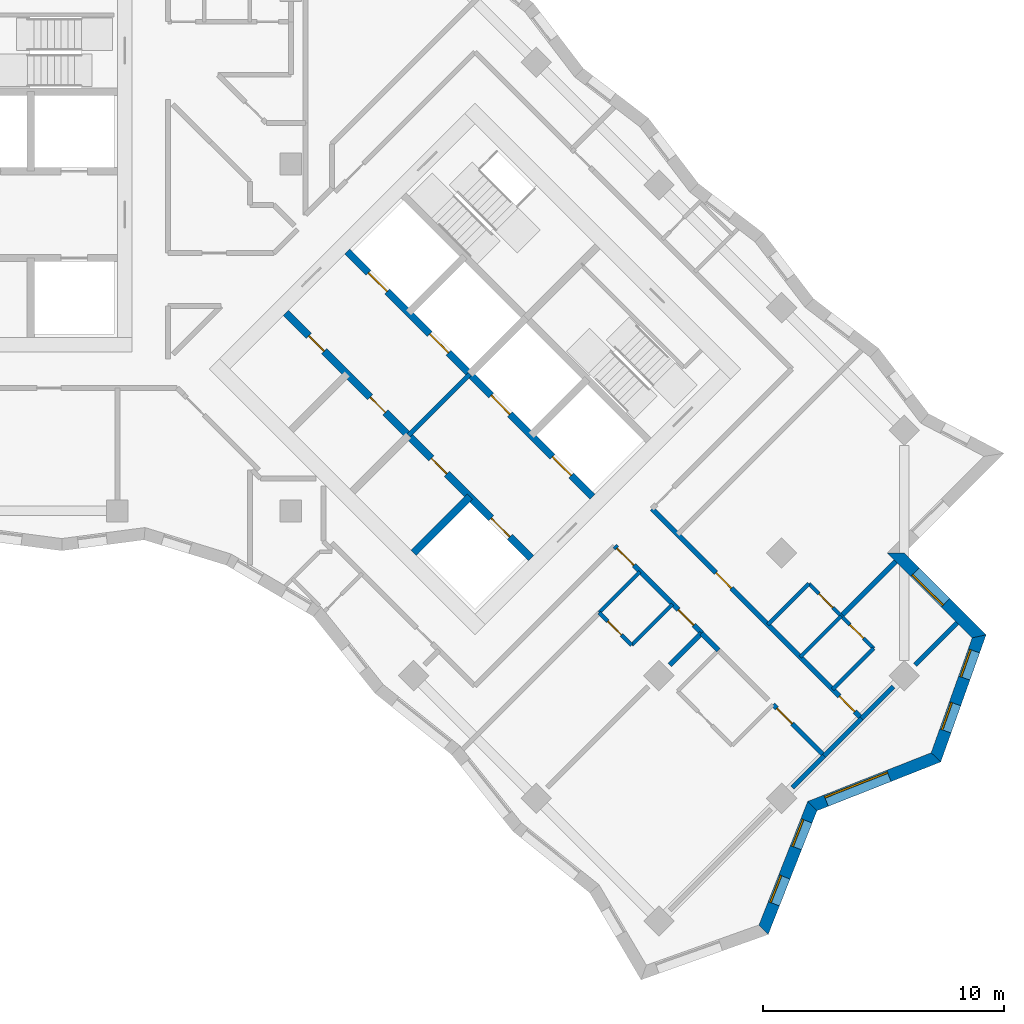
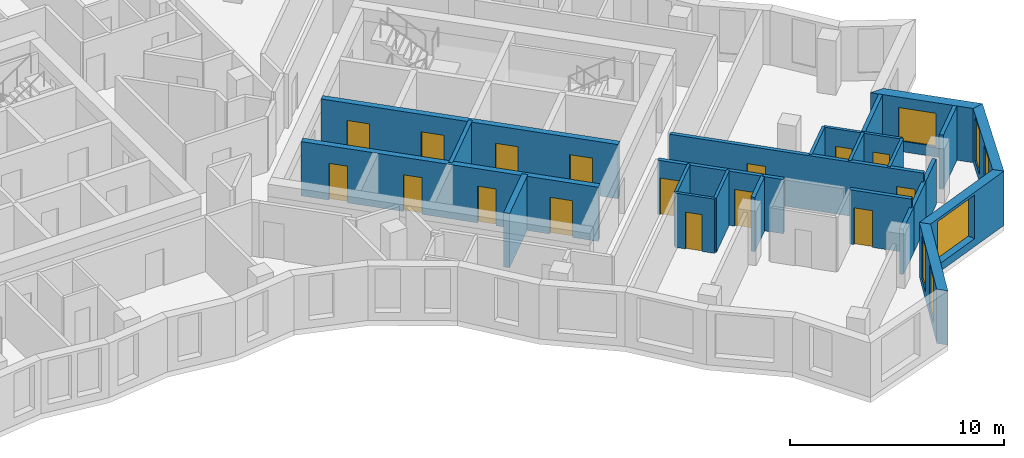
# One storey, part 8 of 12: 25 walls, 16 doors, 6 windows, 22 openings.
"""IFC4 building model written with IfcOpenShell, lengths in metres."""

from ifc_helpers import new_model, si_unit, direction, frame, frame_2d, origin, place, context, subcontext, project, spatial, polyline, rectangle, outline, extrude, material, layer, layer_set, type_object, element, fill, save


model = new_model("IFC4")

# Units and contexts
model_context = context("Model", 3, precision=1e-05, world=origin(), true_north=direction((0.0, 1.0)))
body_context = subcontext(model_context, "Body", "Model", "MODEL_VIEW")
ifc_project = project(units=[si_unit("LENGTHUNIT", "METRE"), si_unit("AREAUNIT", "SQUARE_METRE"), si_unit("VOLUMEUNIT", "CUBIC_METRE"), si_unit("PLANEANGLEUNIT", "RADIAN"), si_unit("MASSUNIT", "GRAM", prefix="KILO")], contexts=[model_context])

# Site, building, storey
site_placement = place(None, origin())
site = spatial("IfcSite", under=ifc_project, at=site_placement, CompositionType="ELEMENT")
building_placement = place(site_placement, origin())
building = spatial("IfcBuilding", under=site, at=building_placement, Name="Windrow Commons", CompositionType="ELEMENT")
storey_placement = place(building_placement, frame((0.0, 0.0, 152.4)))
storey = spatial("IfcBuildingStorey", under=building, at=storey_placement, Name="L41", CompositionType="ELEMENT", Elevation=152.4)

# Wall, openings, windows
ifc_material_1 = material(Name="Brick masonry, red clay brick", Category="masonry")
ifc_layer_1 = layer(ifc_material_1, 0.5)
ifc_layer_set_1 = layer_set([ifc_layer_1], Name="Brick facade wall 500")
wall_type_1 = type_object("IfcWallType", Name="Brick facade wall 500", PredefinedType="SOLIDWALL", material=ifc_layer_set_1)
wall_1_placement = place(storey_placement, frame((98.8164, 25.8194, 0.0), z_axis=(0.0, 0.0, 1.0), x_axis=(0.3666966918, 0.9303405485, 0.0)))
wall_1 = element("IfcWall", 1, at=wall_1_placement, inside=storey, type_object=wall_type_1, Name="Brick facade wall L41 2", PredefinedType="SOLIDWALL", context=body_context, shape_type="SweptSolid", body=[
    extrude(outline(polyline([(-0.1135, -0.25), (5.4066, -0.25), (5.6238, 0.25), (0.1135, 0.25), (-0.1135, -0.25)])), origin(), (0.0, 0.0, 1.0), 3.1),
])
opening_1_placement = place(wall_1_placement, frame((1.1587, 0.0, 0.45)))
opening_1 = element("IfcOpeningElement", 2, at=opening_1_placement, cuts=wall_1, Name="Opening W7E", PredefinedType="OPENING", context=body_context, shape_type="SweptSolid", body=[
    extrude(rectangle(XDim=1.2, YDim=2.5, at=frame_2d((0.6, 1.25))), frame((0.0, 0.26, 0.0), z_axis=(0.0, -1.0, 0.0), x_axis=(1.0, 0.0, 0.0)), (0.0, 0.0, 1.0), 0.52),
])
opening_2_placement = place(wall_1_placement, frame((3.6595, 0.0, 0.45)))
opening_2 = element("IfcOpeningElement", 3, at=opening_2_placement, cuts=wall_1, Name="Opening W7E", PredefinedType="OPENING", context=body_context, shape_type="SweptSolid", body=[
    extrude(rectangle(XDim=1.2, YDim=2.5, at=frame_2d((0.6, 1.25))), frame((0.0, 0.26, 0.0), z_axis=(0.0, -1.0, 0.0), x_axis=(1.0, 0.0, 0.0)), (0.0, 0.0, 1.0), 0.52),
])
ifc_material_2 = material(Name="Clear float glass in anodised aluminium frame", Category="aluminium")
window_type_1 = type_object("IfcWindowType", Name="Window W7 notch 1200x2500", PartitioningType="SINGLE_PANEL", PredefinedType="WINDOW", material=ifc_material_2)
window_1_placement = place(opening_1_placement, origin())
window_1 = element("IfcWindow", 4, at=window_1_placement, inside=storey, type_object=window_type_1, Name="Window L41 2.1", OverallHeight=2.5, OverallWidth=1.2, PartitioningType="SINGLE_PANEL", PredefinedType="WINDOW", context=body_context, shape_type="SweptSolid", body=[
    extrude(rectangle(XDim=1.2, YDim=2.5, at=frame_2d((0.6, 1.25))), frame((0.0, 0.18, 0.0), z_axis=(0.0, -1.0, 0.0), x_axis=(1.0, 0.0, 0.0)), (0.0, 0.0, 1.0), 0.06),
])
fill(opening_1, window_1)
window_2_placement = place(opening_2_placement, origin())
window_2 = element("IfcWindow", 5, at=window_2_placement, inside=storey, type_object=window_type_1, Name="Window L41 2.2", OverallHeight=2.5, OverallWidth=1.2, PartitioningType="SINGLE_PANEL", PredefinedType="WINDOW", context=body_context, shape_type="SweptSolid", body=[
    extrude(rectangle(XDim=1.2, YDim=2.5, at=frame_2d((0.6, 1.25))), frame((0.0, 0.18, 0.0), z_axis=(0.0, -1.0, 0.0), x_axis=(1.0, 0.0, 0.0)), (0.0, 0.0, 1.0), 0.06),
])
fill(opening_2, window_2)

# Wall, opening, window
wall_2_placement = place(storey_placement, frame((100.8388, 30.9504, 0.0), z_axis=(0.0, 0.0, 1.0), x_axis=(0.9303343627, 0.3667123852, 0.0)))
wall_2 = element("IfcWall", 6, at=wall_2_placement, inside=storey, type_object=wall_type_1, Name="Brick facade wall L41 3", PredefinedType="SOLIDWALL", context=body_context, shape_type="SweptSolid", body=[
    extrude(outline(polyline([(0.1086, -0.25), (5.6287, -0.25), (5.4017, 0.25), (-0.1086, 0.25), (0.1086, -0.25)])), origin(), (0.0, 0.0, 1.0), 3.1),
])
opening_3_placement = place(wall_2_placement, frame((0.6139, 0.0, 0.45)))
opening_3 = element("IfcOpeningElement", 7, at=opening_3_placement, cuts=wall_2, Name="Opening W1U", PredefinedType="OPENING", context=body_context, shape_type="SweptSolid", body=[
    extrude(rectangle(XDim=2.8, YDim=2.5, at=frame_2d((1.4, 1.25))), frame((0.0, 0.26, 0.0), z_axis=(0.0, -1.0, 0.0), x_axis=(1.0, 0.0, 0.0)), (0.0, 0.0, 1.0), 0.52),
])
ifc_material_3 = material(Name="Clear float glass in anodised aluminium frame", Category="aluminium")
window_type_2 = type_object("IfcWindowType", Name="Window W1U bedroom 2800x2500", PartitioningType="SINGLE_PANEL", PredefinedType="WINDOW", material=ifc_material_3)
window_3_placement = place(opening_3_placement, origin())
window_3 = element("IfcWindow", 8, at=window_3_placement, inside=storey, type_object=window_type_2, Name="Window L41 3.1", OverallHeight=2.5, OverallWidth=2.8, PartitioningType="SINGLE_PANEL", PredefinedType="WINDOW", context=body_context, shape_type="SweptSolid", body=[
    extrude(rectangle(XDim=2.8, YDim=2.5, at=frame_2d((1.4, 1.25))), frame((0.0, 0.18, 0.0), z_axis=(0.0, -1.0, 0.0), x_axis=(1.0, 0.0, 0.0)), (0.0, 0.0, 1.0), 0.06),
])
fill(opening_3, window_3)

# Wall, openings, windows
wall_3_placement = place(storey_placement, frame((105.9698, 32.9729, 0.0), z_axis=(0.0, 0.0, 1.0), x_axis=(0.3360618931, 0.9418399036, 0.0)))
wall_3 = element("IfcWall", 9, at=wall_3_placement, inside=storey, type_object=wall_type_1, Name="Brick facade wall L41 4", PredefinedType="SOLIDWALL", context=body_context, shape_type="SweptSolid", body=[
    extrude(outline(polyline([(-0.1135, -0.25), (5.4893, -0.25), (5.173, 0.25), (0.1135, 0.25), (-0.1135, -0.25)])), origin(), (0.0, 0.0, 1.0), 3.1),
])
opening_4_placement = place(wall_3_placement, frame((1.1638, 0.0, 0.45)))
opening_4 = element("IfcOpeningElement", 10, at=opening_4_placement, cuts=wall_3, Name="Opening W7E", PredefinedType="OPENING", context=body_context, shape_type="SweptSolid", body=[
    extrude(rectangle(XDim=1.2, YDim=2.5, at=frame_2d((0.6, 1.25))), frame((0.0, 0.26, 0.0), z_axis=(0.0, -1.0, 0.0), x_axis=(1.0, 0.0, 0.0)), (0.0, 0.0, 1.0), 0.52),
])
opening_5_placement = place(wall_3_placement, frame((3.4935, 0.0, 0.45)))
opening_5 = element("IfcOpeningElement", 11, at=opening_5_placement, cuts=wall_3, Name="Opening W7E", PredefinedType="OPENING", context=body_context, shape_type="SweptSolid", body=[
    extrude(rectangle(XDim=1.2, YDim=2.5, at=frame_2d((0.6, 1.25))), frame((0.0, 0.26, 0.0), z_axis=(0.0, -1.0, 0.0), x_axis=(1.0, 0.0, 0.0)), (0.0, 0.0, 1.0), 0.52),
])
window_4_placement = place(opening_4_placement, origin())
window_4 = element("IfcWindow", 12, at=window_4_placement, inside=storey, type_object=window_type_1, Name="Window L41 4.1", OverallHeight=2.5, OverallWidth=1.2, PartitioningType="SINGLE_PANEL", PredefinedType="WINDOW", context=body_context, shape_type="SweptSolid", body=[
    extrude(rectangle(XDim=1.2, YDim=2.5, at=frame_2d((0.6, 1.25))), frame((0.0, 0.18, 0.0), z_axis=(0.0, -1.0, 0.0), x_axis=(1.0, 0.0, 0.0)), (0.0, 0.0, 1.0), 0.06),
])
fill(opening_4, window_4)
window_5_placement = place(opening_5_placement, origin())
window_5 = element("IfcWindow", 13, at=window_5_placement, inside=storey, type_object=window_type_1, Name="Window L41 4.2", OverallHeight=2.5, OverallWidth=1.2, PartitioningType="SINGLE_PANEL", PredefinedType="WINDOW", context=body_context, shape_type="SweptSolid", body=[
    extrude(rectangle(XDim=1.2, YDim=2.5, at=frame_2d((0.6, 1.25))), frame((0.0, 0.18, 0.0), z_axis=(0.0, -1.0, 0.0), x_axis=(1.0, 0.0, 0.0)), (0.0, 0.0, 1.0), 0.06),
])
fill(opening_5, window_5)

# Wall, opening, window
wall_4_placement = place(storey_placement, frame((107.7614, 37.994, 0.0), z_axis=(0.0, 0.0, 1.0), x_axis=(-0.7071272228, 0.707086339, 0.0)))
wall_4 = element("IfcWall", 14, at=wall_4_placement, inside=storey, type_object=wall_type_1, Name="Brick facade wall L41 5", PredefinedType="SOLIDWALL", context=body_context, shape_type="SweptSolid", body=[
    extrude(outline(polyline([(-0.1582, -0.25), (4.6419, -0.25), (5.1419, 0.25), (0.1582, 0.25), (-0.1582, -0.25)])), origin(), (0.0, 0.0, 1.0), 3.1),
])
opening_6_placement = place(wall_4_placement, frame((1.9669, 0.0, 0.6)))
opening_6 = element("IfcOpeningElement", 15, at=opening_6_placement, cuts=wall_4, Name="Opening W1L", PredefinedType="OPENING", context=body_context, shape_type="SweptSolid", body=[
    extrude(rectangle(XDim=1.8, YDim=1.9, at=frame_2d((0.9, 0.95))), frame((0.0, 0.26, 0.0), z_axis=(0.0, -1.0, 0.0), x_axis=(1.0, 0.0, 0.0)), (0.0, 0.0, 1.0), 0.52),
])
ifc_material_4 = material(Name="Clear float glass in anodised aluminium frame", Category="aluminium")
window_type_3 = type_object("IfcWindowType", Name="Window W1L bedroom 1800x1900", PartitioningType="SINGLE_PANEL", PredefinedType="WINDOW", material=ifc_material_4)
window_6_placement = place(opening_6_placement, origin())
window_6 = element("IfcWindow", 16, at=window_6_placement, inside=storey, type_object=window_type_3, Name="Window L41 5.1", OverallHeight=1.9, OverallWidth=1.8, PartitioningType="SINGLE_PANEL", PredefinedType="WINDOW", context=body_context, shape_type="SweptSolid", body=[
    extrude(rectangle(XDim=1.8, YDim=1.9, at=frame_2d((0.9, 0.95))), frame((0.0, 0.18, 0.0), z_axis=(0.0, -1.0, 0.0), x_axis=(1.0, 0.0, 0.0)), (0.0, 0.0, 1.0), 0.06),
])
fill(opening_6, window_6)

# Wall
ifc_material_5 = material(Name="Blockwork partition", Category="masonry")
ifc_layer_2 = layer(ifc_material_5, 0.2)
ifc_layer_set_2 = layer_set([ifc_layer_2], Name="Fire lobby partition 200")
wall_type_2 = type_object("IfcWallType", Name="Fire lobby partition 200", PredefinedType="PARTITIONING", material=ifc_layer_set_2)
wall_5_placement = place(storey_placement, frame((84.079, 46.332, 0.0), z_axis=(0.0, 0.0, 1.0), x_axis=(0.7071067812, 0.7071067812, 0.0)))
element("IfcWall", 17, at=wall_5_placement, inside=storey, type_object=wall_type_2, Name="W-core-lobby-B-L41", PredefinedType="PARTITIONING", context=body_context, shape_type="SweptSolid", body=[
    extrude(rectangle(XDim=3.6, YDim=0.2, at=frame_2d((1.8, 0.0))), origin(), (0.0, 0.0, 1.0), 3.1),
])

# Wall, openings, doors
ifc_material_6 = material(Name="Blockwork partition", Category="masonry")
ifc_layer_3 = layer(ifc_material_6, 0.2)
ifc_layer_set_3 = layer_set([ifc_layer_3], Name="IW-CORRIDOR-200")
wall_type_3 = type_object("IfcWallType", Name="IW-CORRIDOR-200", PredefinedType="PARTITIONING", material=ifc_layer_set_3)
wall_6_placement = place(storey_placement, frame((94.1889, 43.2869, 0.0), z_axis=(0.0, 0.0, 1.0), x_axis=(0.7071067812, -0.7071067812, 0.0)))
wall_6 = element("IfcWall", 18, at=wall_6_placement, inside=storey, type_object=wall_type_3, Name="W-L41-W005", PredefinedType="PARTITIONING", context=body_context, shape_type="SweptSolid", body=[
    extrude(rectangle(XDim=12.298, YDim=0.2, at=frame_2d((6.149, 0.0))), origin(), (0.0, 0.0, 1.0), 3.1),
])
opening_7_placement = place(wall_6_placement, frame((3.7546, 0.0, 0.0)))
opening_7 = element("IfcOpeningElement", 19, at=opening_7_placement, cuts=wall_6, Name="Opening D109F", PredefinedType="OPENING", context=body_context, shape_type="SweptSolid", body=[
    extrude(rectangle(XDim=0.9, YDim=2.1, at=frame_2d((0.45, 1.05))), frame((0.0, 0.11, 0.0), z_axis=(0.0, -1.0, 0.0), x_axis=(1.0, 0.0, 0.0)), (0.0, 0.0, 1.0), 0.22),
])
opening_8_placement = place(wall_6_placement, frame((10.998, 0.0, 0.0)))
opening_8 = element("IfcOpeningElement", 20, at=opening_8_placement, cuts=wall_6, Name="Opening D109S", PredefinedType="OPENING", context=body_context, shape_type="SweptSolid", body=[
    extrude(rectangle(XDim=0.9, YDim=2.1, at=frame_2d((0.45, 1.05))), frame((0.0, 0.11, 0.0), z_axis=(0.0, -1.0, 0.0), x_axis=(1.0, 0.0, 0.0)), (0.0, 0.0, 1.0), 0.22),
])
ifc_material_7 = material(Name="Timber door leaf", Category="wood")
door_type_1 = type_object("IfcDoorType", Name="DT-BEDROOM-900", OperationType="SINGLE_SWING_LEFT", PredefinedType="DOOR", material=ifc_material_7)
door_1_placement = place(opening_7_placement, origin())
door_1 = element("IfcDoor", 21, at=door_1_placement, inside=storey, type_object=door_type_1, Name="D-L41-D042", OperationType="SINGLE_SWING_RIGHT", OverallHeight=2.1, OverallWidth=0.9, PredefinedType="DOOR", context=body_context, shape_type="SweptSolid", body=[
    extrude(rectangle(XDim=0.9, YDim=2.1, at=frame_2d((0.45, 1.05))), frame((0.0, 0.025, 0.0), z_axis=(0.0, -1.0, 0.0), x_axis=(1.0, 0.0, 0.0)), (0.0, 0.0, 1.0), 0.05),
])
fill(opening_7, door_1)
door_2_placement = place(opening_8_placement, origin())
door_2 = element("IfcDoor", 22, at=door_2_placement, inside=storey, type_object=door_type_1, Name="D-L41-D053", OperationType="SINGLE_SWING_RIGHT", OverallHeight=2.1, OverallWidth=0.9, PredefinedType="DOOR", context=body_context, shape_type="SweptSolid", body=[
    extrude(rectangle(XDim=0.9, YDim=2.1, at=frame_2d((0.45, 1.05))), frame((0.0, 0.025, 0.0), z_axis=(0.0, -1.0, 0.0), x_axis=(1.0, 0.0, 0.0)), (0.0, 0.0, 1.0), 0.05),
])
fill(opening_8, door_2)

wall_7_placement = place(storey_placement, frame((92.6393, 41.7393, 0.0), z_axis=(0.0, 0.0, 1.0), x_axis=(0.7071067812, -0.7071067812, 0.0)))
wall_7 = element("IfcWall", 23, at=wall_7_placement, inside=storey, type_object=wall_type_3, Name="W-L41-W038", PredefinedType="PARTITIONING", context=body_context, shape_type="SweptSolid", body=[
    extrude(rectangle(XDim=5.0997, YDim=0.2, at=frame_2d((2.5499, 0.0))), origin(), (0.0, 0.0, 1.0), 3.1),
])
opening_9_placement = place(wall_7_placement, frame((0.1234, 0.0, 0.0)))
opening_9 = element("IfcOpeningElement", 24, at=opening_9_placement, cuts=wall_7, Name="Opening D310F", PredefinedType="OPENING", context=body_context, shape_type="SweptSolid", body=[
    extrude(rectangle(XDim=1.0, YDim=2.1, at=frame_2d((0.5, 1.05))), frame((0.0, 0.11, 0.0), z_axis=(0.0, -1.0, 0.0), x_axis=(1.0, 0.0, 0.0)), (0.0, 0.0, 1.0), 0.22),
])
opening_10_placement = place(wall_7_placement, frame((3.7344, 0.0, 0.0)))
opening_10 = element("IfcOpeningElement", 25, at=opening_10_placement, cuts=wall_7, Name="Opening D109S", PredefinedType="OPENING", context=body_context, shape_type="SweptSolid", body=[
    extrude(rectangle(XDim=0.9, YDim=2.1, at=frame_2d((0.45, 1.05))), frame((0.0, 0.11, 0.0), z_axis=(0.0, -1.0, 0.0), x_axis=(1.0, 0.0, 0.0)), (0.0, 0.0, 1.0), 0.22),
])
ifc_material_8 = material(Name="Timber door leaf", Category="wood")
door_type_2 = type_object("IfcDoorType", Name="DT-AMENITY-1000", OperationType="SINGLE_SWING_LEFT", PredefinedType="DOOR", material=ifc_material_8)
door_3_placement = place(opening_9_placement, origin())
door_3 = element("IfcDoor", 26, at=door_3_placement, inside=storey, type_object=door_type_2, Name="D-L41-D048", OperationType="SINGLE_SWING_RIGHT", OverallHeight=2.1, OverallWidth=1.0, PredefinedType="DOOR", context=body_context, shape_type="SweptSolid", body=[
    extrude(rectangle(XDim=1.0, YDim=2.1, at=frame_2d((0.5, 1.05))), frame((0.0, 0.025, 0.0), z_axis=(0.0, -1.0, 0.0), x_axis=(1.0, 0.0, 0.0)), (0.0, 0.0, 1.0), 0.05),
])
fill(opening_9, door_3)
door_4_placement = place(opening_10_placement, origin())
door_4 = element("IfcDoor", 27, at=door_4_placement, inside=storey, type_object=door_type_1, Name="D-L41-D049", OperationType="SINGLE_SWING_LEFT", OverallHeight=2.1, OverallWidth=0.9, PredefinedType="DOOR", context=body_context, shape_type="SweptSolid", body=[
    extrude(rectangle(XDim=0.9, YDim=2.1, at=frame_2d((0.45, 1.05))), frame((0.0, 0.025, 0.0), z_axis=(0.0, -1.0, 0.0), x_axis=(1.0, 0.0, 0.0)), (0.0, 0.0, 1.0), 0.05),
])
fill(opening_10, door_4)

# Wall, opening, door
wall_8_placement = place(storey_placement, frame((99.2143, 35.1623, 0.0), z_axis=(0.0, 0.0, 1.0), x_axis=(0.706773319, -0.7074400862, 0.0)))
wall_8 = element("IfcWall", 28, at=wall_8_placement, inside=storey, type_object=wall_type_3, Name="W-L41-W057", PredefinedType="PARTITIONING", context=body_context, shape_type="SweptSolid", body=[
    extrude(rectangle(XDim=2.9995, YDim=0.2, at=frame_2d((1.4997, 0.0))), origin(), (0.0, 0.0, 1.0), 3.1),
])
opening_11_placement = place(wall_8_placement, frame((0.2196, 0.0, 0.0)))
opening_11 = element("IfcOpeningElement", 29, at=opening_11_placement, cuts=wall_8, Name="Opening D109F", PredefinedType="OPENING", context=body_context, shape_type="SweptSolid", body=[
    extrude(rectangle(XDim=0.9, YDim=2.1, at=frame_2d((0.45, 1.05))), frame((0.0, 0.11, 0.0), z_axis=(0.0, -1.0, 0.0), x_axis=(1.0, 0.0, 0.0)), (0.0, 0.0, 1.0), 0.22),
])
door_5_placement = place(opening_11_placement, origin())
door_5 = element("IfcDoor", 30, at=door_5_placement, inside=storey, type_object=door_type_1, Name="D-L41-D051", OperationType="SINGLE_SWING_RIGHT", OverallHeight=2.1, OverallWidth=0.9, PredefinedType="DOOR", context=body_context, shape_type="SweptSolid", body=[
    extrude(rectangle(XDim=0.9, YDim=2.1, at=frame_2d((0.45, 1.05))), frame((0.0, 0.025, 0.0), z_axis=(0.0, -1.0, 0.0), x_axis=(1.0, 0.0, 0.0)), (0.0, 0.0, 1.0), 0.05),
])
fill(opening_11, door_5)

# Walls
wall_9_placement = place(storey_placement, frame((101.3312, 33.0388, 0.0), z_axis=(0.0, 0.0, 1.0), x_axis=(0.7071067812, 0.7071067812, 0.0)))
element("IfcWall", 31, at=wall_9_placement, inside=storey, type_object=wall_type_3, Name="W-L41-W107", PredefinedType="PARTITIONING", context=body_context, shape_type="SweptSolid", body=[
    extrude(rectangle(XDim=2.2005, YDim=0.2, at=frame_2d((1.1002, 0.0))), origin(), (0.0, 0.0, 1.0), 2.6),
])
wall_10_placement = place(storey_placement, frame((96.2396, 38.1276, 0.0), z_axis=(0.0, 0.0, 1.0), x_axis=(0.7061059238, -0.7081062239, 0.0)))
element("IfcWall", 32, at=wall_10_placement, inside=storey, type_object=wall_type_3, Name="W-L41-W154", PredefinedType="PARTITIONING", context=body_context, shape_type="SweptSolid", body=[
    extrude(rectangle(XDim=0.9998, YDim=0.2, at=frame_2d((0.4999, 0.0))), origin(), (0.0, 0.0, 1.0), 3.1),
])

# Wall, openings, doors
ifc_material_9 = material(Name="Blockwork partition", Category="masonry")
ifc_layer_4 = layer(ifc_material_9, 0.15)
ifc_layer_set_4 = layer_set([ifc_layer_4], Name="IW-ENSUITE-150")
wall_type_4 = type_object("IfcWallType", Name="IW-ENSUITE-150", PredefinedType="PARTITIONING", material=ifc_layer_set_4)
wall_11_placement = place(storey_placement, frame((100.6942, 40.1782, 0.0), z_axis=(0.0, 0.0, 1.0), x_axis=(0.7076329021, -0.7065802685, 0.0)))
wall_11 = element("IfcWall", 33, at=wall_11_placement, inside=storey, type_object=wall_type_4, Name="W-L41-W048", PredefinedType="PARTITIONING", context=body_context, shape_type="SweptSolid", body=[
    extrude(rectangle(XDim=3.8, YDim=0.15, at=frame_2d((1.9, 0.0))), origin(), (0.0, 0.0, 1.0), 3.1),
])
opening_12_placement = place(wall_11_placement, frame((0.5978, 0.0, 0.0)))
opening_12 = element("IfcOpeningElement", 34, at=opening_12_placement, cuts=wall_11, Name="Opening D208N", PredefinedType="OPENING", context=body_context, shape_type="SweptSolid", body=[
    extrude(rectangle(XDim=0.8, YDim=2.1, at=frame_2d((0.4, 1.05))), frame((0.0, 0.085, 0.0), z_axis=(0.0, -1.0, 0.0), x_axis=(1.0, 0.0, 0.0)), (0.0, 0.0, 1.0), 0.17),
])
opening_13_placement = place(wall_11_placement, frame((2.4048, 0.0, 0.0)))
opening_13 = element("IfcOpeningElement", 35, at=opening_13_placement, cuts=wall_11, Name="Opening D208N", PredefinedType="OPENING", context=body_context, shape_type="SweptSolid", body=[
    extrude(rectangle(XDim=0.8, YDim=2.1, at=frame_2d((0.4, 1.05))), frame((0.0, 0.085, 0.0), z_axis=(0.0, -1.0, 0.0), x_axis=(1.0, 0.0, 0.0)), (0.0, 0.0, 1.0), 0.17),
])
ifc_material_10 = material(Name="Timber door leaf", Category="wood")
door_type_3 = type_object("IfcDoorType", Name="DT-ENSUITE-800", OperationType="SINGLE_SWING_LEFT", PredefinedType="DOOR", material=ifc_material_10)
door_6_placement = place(opening_12_placement, origin())
door_6 = element("IfcDoor", 36, at=door_6_placement, inside=storey, type_object=door_type_3, Name="D-L41-D043", OperationType="SINGLE_SWING_RIGHT", OverallHeight=2.1, OverallWidth=0.8, PredefinedType="DOOR", context=body_context, shape_type="SweptSolid", body=[
    extrude(rectangle(XDim=0.8, YDim=2.1, at=frame_2d((0.4, 1.05))), frame((0.0, 0.025, 0.0), z_axis=(0.0, -1.0, 0.0), x_axis=(1.0, 0.0, 0.0)), (0.0, 0.0, 1.0), 0.05),
])
fill(opening_12, door_6)
door_7_placement = place(opening_13_placement, origin())
door_7 = element("IfcDoor", 37, at=door_7_placement, inside=storey, type_object=door_type_3, Name="D-L41-D054", OperationType="SINGLE_SWING_RIGHT", OverallHeight=2.1, OverallWidth=0.8, PredefinedType="DOOR", context=body_context, shape_type="SweptSolid", body=[
    extrude(rectangle(XDim=0.8, YDim=2.1, at=frame_2d((0.4, 1.05))), frame((0.0, 0.025, 0.0), z_axis=(0.0, -1.0, 0.0), x_axis=(1.0, 0.0, 0.0)), (0.0, 0.0, 1.0), 0.05),
])
fill(opening_13, door_7)

# Walls
for number, where, z_axis, x_axis, name in (
    (38, (93.3409, 37.6351, 0.0), (0.0, 0.0, 1.0), (0.7071067812, 0.7071067812, 0.0), "W-L41-W068"),
    (39, (101.6851, 35.7969, 0.0), (0.0, 0.0, 1.0), (0.7071067812, 0.7071067812, 0.0), "W-L41-W069"),
    (40, (91.9974, 38.9786, 0.0), (0.0, 0.0, 1.0), (0.7071067812, 0.7071067812, 0.0), "W-L41-W070"),
):
    element("IfcWall", number, at=place(storey_placement, frame(where, z_axis=z_axis, x_axis=x_axis)), inside=storey, type_object=wall_type_4, Name=name, PredefinedType="PARTITIONING", context=body_context, shape_type="SweptSolid", body=[
        extrude(rectangle(XDim=2.4013, YDim=0.15, at=frame_2d((1.2006, 0.0))), origin(), (0.0, 0.0, 1.0), 3.1),
    ])
for number, where, z_axis, x_axis, name in (
    (41, (100.3397, 37.1423, 0.0), (0.0, 0.0, 1.0), (0.7075233388, 0.706689978, 0.0), "W-L41-W095"),
    (42, (98.9962, 38.4858, 0.0), (0.0, 0.0, 1.0), (0.7075233388, 0.706689978, 0.0), "W-L41-W096"),
):
    element("IfcWall", number, at=place(storey_placement, frame(where, z_axis=z_axis, x_axis=x_axis)), inside=storey, type_object=wall_type_4, Name=name, PredefinedType="PARTITIONING", context=body_context, shape_type="SweptSolid", body=[
        extrude(rectangle(XDim=2.3999, YDim=0.15, at=frame_2d((1.2, 0.0))), origin(), (0.0, 0.0, 1.0), 3.1),
    ])

# Wall, opening, door
wall_12_placement = place(storey_placement, frame((91.9952, 38.9752, 0.0), z_axis=(0.0, 0.0, 1.0), x_axis=(0.7071067812, -0.7071067812, 0.0)))
wall_12 = element("IfcWall", 43, at=wall_12_placement, inside=storey, type_object=wall_type_4, Name="W-L41-W123", PredefinedType="PARTITIONING", context=body_context, shape_type="SweptSolid", body=[
    extrude(rectangle(XDim=1.9007, YDim=0.15, at=frame_2d((0.9504, 0.0))), origin(), (0.0, 0.0, 1.0), 3.1),
])
opening_14_placement = place(wall_12_placement, frame((0.5056, 0.0, 0.0)))
opening_14 = element("IfcOpeningElement", 44, at=opening_14_placement, cuts=wall_12, Name="Opening D208N", PredefinedType="OPENING", context=body_context, shape_type="SweptSolid", body=[
    extrude(rectangle(XDim=0.8, YDim=2.1, at=frame_2d((0.4, 1.05))), frame((0.0, 0.085, 0.0), z_axis=(0.0, -1.0, 0.0), x_axis=(1.0, 0.0, 0.0)), (0.0, 0.0, 1.0), 0.17),
])
door_8_placement = place(opening_14_placement, origin())
door_8 = element("IfcDoor", 45, at=door_8_placement, inside=storey, type_object=door_type_3, Name="D-L41-D050", OperationType="SINGLE_SWING_RIGHT", OverallHeight=2.1, OverallWidth=0.8, PredefinedType="DOOR", context=body_context, shape_type="SweptSolid", body=[
    extrude(rectangle(XDim=0.8, YDim=2.1, at=frame_2d((0.4, 1.05))), frame((0.0, 0.025, 0.0), z_axis=(0.0, -1.0, 0.0), x_axis=(1.0, 0.0, 0.0)), (0.0, 0.0, 1.0), 0.05),
])
fill(opening_14, door_8)

# Walls
ifc_material_11 = material(Name="Blockwork partition", Category="masonry")
ifc_layer_5 = layer(ifc_material_11, 0.2)
ifc_layer_set_5 = layer_set([ifc_layer_5], Name="IW-PARTY-200")
wall_type_5 = type_object("IfcWallType", Name="IW-PARTY-200", PredefinedType="PARTITIONING", material=ifc_layer_set_5)
wall_13_placement = place(storey_placement, frame((102.0396, 38.8384, 0.0), z_axis=(0.0, 0.0, 1.0), x_axis=(0.7071067812, 0.7071067812, 0.0)))
element("IfcWall", 46, at=wall_13_placement, inside=storey, type_object=wall_type_5, Name="W-L41-W054", PredefinedType="PARTITIONING", context=body_context, shape_type="SweptSolid", body=[
    extrude(rectangle(XDim=3.1987, YDim=0.2, at=frame_2d((1.5994, 0.0))), origin(), (0.0, 0.0, 1.0), 3.1),
])
wall_14_placement = place(storey_placement, frame((105.1052, 36.8128, 0.0), z_axis=(0.0, 0.0, 1.0), x_axis=(0.7071067812, 0.7071067812, 0.0)))
element("IfcWall", 47, at=wall_14_placement, inside=storey, type_object=wall_type_5, Name="W-L41-W066", PredefinedType="PARTITIONING", context=body_context, shape_type="SweptSolid", body=[
    extrude(rectangle(XDim=2.4634, YDim=0.2, at=frame_2d((1.2317, 0.0))), origin(), (0.0, 0.0, 1.0), 3.1),
])
wall_15_placement = place(storey_placement, frame((102.8872, 34.5948, 0.0), z_axis=(0.0, 0.0, 1.0), x_axis=(0.7071067812, 0.7071067812, 0.0)))
element("IfcWall", 48, at=wall_15_placement, inside=storey, type_object=wall_type_5, Name="W-L41-W133", PredefinedType="PARTITIONING", context=body_context, shape_type="SweptSolid", body=[
    extrude(rectangle(XDim=1.8639, YDim=0.2, at=frame_2d((0.9319, 0.0))), origin(), (0.0, 0.0, 1.0), 2.6),
])
wall_16_placement = place(storey_placement, frame((94.923, 36.813, 0.0), z_axis=(0.0, 0.0, 1.0), x_axis=(0.7071067812, 0.7071067812, 0.0)))
element("IfcWall", 49, at=wall_16_placement, inside=storey, type_object=wall_type_5, Name="W-L41-W134", PredefinedType="PARTITIONING", context=body_context, shape_type="SweptSolid", body=[
    extrude(rectangle(XDim=1.8639, YDim=0.2, at=frame_2d((0.9319, 0.0))), origin(), (0.0, 0.0, 1.0), 3.1),
])
wall_17_placement = place(storey_placement, frame((100.0132, 31.7208, 0.0), z_axis=(0.0, 0.0, 1.0), x_axis=(0.7071067812, 0.7071067812, 0.0)))
element("IfcWall", 50, at=wall_17_placement, inside=storey, type_object=wall_type_5, Name="W-L41-W135", PredefinedType="PARTITIONING", context=body_context, shape_type="SweptSolid", body=[
    extrude(rectangle(XDim=1.8639, YDim=0.2, at=frame_2d((0.9319, 0.0))), origin(), (0.0, 0.0, 1.0), 2.6),
])
ifc_material_12 = material(Name="Concrete C50/60", Category="concrete")
ifc_layer_6 = layer(ifc_material_12, 0.3)
ifc_layer_set_6 = layer_set([ifc_layer_6], Name="RC SHAFT WALL 300 C50/60")
wall_type_6 = type_object("IfcWallType", Name="RC SHAFT WALL 300 C50/60", PredefinedType="SOLIDWALL", material=ifc_layer_set_6)
wall_18_placement = place(storey_placement, frame((84.2912, 41.453, 0.0), z_axis=(0.0, 0.0, 1.0), x_axis=(0.7071067812, 0.7071067812, 0.0)))
element("IfcWall", 51, at=wall_18_placement, inside=storey, type_object=wall_type_6, Name="Core B wall shaft-S3", PredefinedType="SOLIDWALL", context=body_context, shape_type="SweptSolid", body=[
    extrude(rectangle(XDim=3.2999, YDim=0.3, at=frame_2d((1.65, 0.0))), origin(), (0.0, 0.0, 1.0), 3.1),
])

# Wall, openings, doors
wall_19_placement = place(storey_placement, frame((78.9879, 51.4232, 0.0), z_axis=(0.0, 0.0, 1.0), x_axis=(0.7071067812, -0.7071067812, 0.0)))
wall_19 = element("IfcWall", 52, at=wall_19_placement, inside=storey, type_object=wall_type_6, Name="Core B wall lobby-S", PredefinedType="SOLIDWALL", context=body_context, shape_type="SweptSolid", body=[
    extrude(rectangle(XDim=14.3999, YDim=0.3, at=frame_2d((7.2, 0.0))), origin(), (0.0, 0.0, 1.0), 3.1),
])
opening_15_placement = place(wall_19_placement, frame((1.35, 0.0, 0.0)))
opening_15 = element("IfcOpeningElement", 53, at=opening_15_placement, cuts=wall_19, Name="Opening D8", PredefinedType="OPENING", context=body_context, shape_type="SweptSolid", body=[
    extrude(rectangle(XDim=0.9, YDim=2.1, at=frame_2d((0.45, 1.05))), frame((0.0, 0.16, 0.0), z_axis=(0.0, -1.0, 0.0), x_axis=(1.0, 0.0, 0.0)), (0.0, 0.0, 1.0), 0.32),
])
opening_16_placement = place(wall_19_placement, frame((4.95, 0.0, 0.0)))
opening_16 = element("IfcOpeningElement", 54, at=opening_16_placement, cuts=wall_19, Name="Opening D8", PredefinedType="OPENING", context=body_context, shape_type="SweptSolid", body=[
    extrude(rectangle(XDim=0.9, YDim=2.1, at=frame_2d((0.45, 1.05))), frame((0.0, 0.16, 0.0), z_axis=(0.0, -1.0, 0.0), x_axis=(1.0, 0.0, 0.0)), (0.0, 0.0, 1.0), 0.32),
])
opening_17_placement = place(wall_19_placement, frame((8.55, 0.0, 0.0)))
opening_17 = element("IfcOpeningElement", 55, at=opening_17_placement, cuts=wall_19, Name="Opening D8", PredefinedType="OPENING", context=body_context, shape_type="SweptSolid", body=[
    extrude(rectangle(XDim=0.9, YDim=2.1, at=frame_2d((0.45, 1.05))), frame((0.0, 0.16, 0.0), z_axis=(0.0, -1.0, 0.0), x_axis=(1.0, 0.0, 0.0)), (0.0, 0.0, 1.0), 0.32),
])
opening_18_placement = place(wall_19_placement, frame((12.05, 0.0, 0.0)))
opening_18 = element("IfcOpeningElement", 56, at=opening_18_placement, cuts=wall_19, Name="Opening LD", PredefinedType="OPENING", context=body_context, shape_type="SweptSolid", body=[
    extrude(rectangle(XDim=1.1, YDim=2.1, at=frame_2d((0.55, 1.05))), frame((0.0, 0.16, 0.0), z_axis=(0.0, -1.0, 0.0), x_axis=(1.0, 0.0, 0.0)), (0.0, 0.0, 1.0), 0.32),
])
ifc_material_13 = material(Name="Steel fire door leaf", Category="steel")
door_type_4 = type_object("IfcDoorType", Name="Core store door 900", OperationType="SINGLE_SWING_LEFT", PredefinedType="DOOR", material=ifc_material_13)
door_9_placement = place(opening_15_placement, origin())
door_9 = element("IfcDoor", 57, at=door_9_placement, inside=storey, type_object=door_type_4, Name="Store door", OperationType="SINGLE_SWING_LEFT", OverallHeight=2.1, OverallWidth=0.9, PredefinedType="DOOR", context=body_context, shape_type="SweptSolid", body=[
    extrude(rectangle(XDim=0.9, YDim=2.1, at=frame_2d((0.45, 1.05))), frame((0.0, 0.025, 0.0), z_axis=(0.0, -1.0, 0.0), x_axis=(1.0, 0.0, 0.0)), (0.0, 0.0, 1.0), 0.05),
])
fill(opening_15, door_9)
door_10_placement = place(opening_16_placement, origin())
door_10 = element("IfcDoor", 58, at=door_10_placement, inside=storey, type_object=door_type_4, Name="Store door", OperationType="SINGLE_SWING_LEFT", OverallHeight=2.1, OverallWidth=0.9, PredefinedType="DOOR", context=body_context, shape_type="SweptSolid", body=[
    extrude(rectangle(XDim=0.9, YDim=2.1, at=frame_2d((0.45, 1.05))), frame((0.0, 0.025, 0.0), z_axis=(0.0, -1.0, 0.0), x_axis=(1.0, 0.0, 0.0)), (0.0, 0.0, 1.0), 0.05),
])
fill(opening_16, door_10)
door_11_placement = place(opening_17_placement, origin())
door_11 = element("IfcDoor", 59, at=door_11_placement, inside=storey, type_object=door_type_4, Name="Store door", OperationType="SINGLE_SWING_LEFT", OverallHeight=2.1, OverallWidth=0.9, PredefinedType="DOOR", context=body_context, shape_type="SweptSolid", body=[
    extrude(rectangle(XDim=0.9, YDim=2.1, at=frame_2d((0.45, 1.05))), frame((0.0, 0.025, 0.0), z_axis=(0.0, -1.0, 0.0), x_axis=(1.0, 0.0, 0.0)), (0.0, 0.0, 1.0), 0.05),
])
fill(opening_17, door_11)
ifc_material_14 = material(Name="Stainless steel door leaf", Category="steel")
door_type_5 = type_object("IfcDoorType", Name="Lift landing door 1100", OperationType="SLIDING_TO_LEFT", PredefinedType="DOOR", material=ifc_material_14)
door_12_placement = place(opening_18_placement, origin())
door_12 = element("IfcDoor", 60, at=door_12_placement, inside=storey, type_object=door_type_5, Name="Lift landing door", OperationType="SLIDING_TO_RIGHT", OverallHeight=2.1, OverallWidth=1.1, PredefinedType="DOOR", context=body_context, shape_type="SweptSolid", body=[
    extrude(rectangle(XDim=1.1, YDim=2.1, at=frame_2d((0.55, 1.05))), frame((0.0, 0.025, 0.0), z_axis=(0.0, -1.0, 0.0), x_axis=(1.0, 0.0, 0.0)), (0.0, 0.0, 1.0), 0.05),
])
fill(opening_18, door_12)

wall_20_placement = place(storey_placement, frame((81.5335, 53.9688, 0.0), z_axis=(0.0, 0.0, 1.0), x_axis=(0.707103309, -0.7071102534, 0.0)))
wall_20 = element("IfcWall", 61, at=wall_20_placement, inside=storey, type_object=wall_type_6, Name="Core B wall lobby-N", PredefinedType="SOLIDWALL", context=body_context, shape_type="SweptSolid", body=[
    extrude(rectangle(XDim=14.4, YDim=0.3, at=frame_2d((7.2, 0.0))), origin(), (0.0, 0.0, 1.0), 3.1),
])
opening_19_placement = place(wall_20_placement, frame((1.25, 0.0, 0.0)))
opening_19 = element("IfcOpeningElement", 62, at=opening_19_placement, cuts=wall_20, Name="Opening LD", PredefinedType="OPENING", context=body_context, shape_type="SweptSolid", body=[
    extrude(rectangle(XDim=1.1, YDim=2.1, at=frame_2d((0.55, 1.05))), frame((0.0, 0.16, 0.0), z_axis=(0.0, -1.0, 0.0), x_axis=(1.0, 0.0, 0.0)), (0.0, 0.0, 1.0), 0.32),
])
opening_20_placement = place(wall_20_placement, frame((4.85, 0.0, 0.0)))
opening_20 = element("IfcOpeningElement", 63, at=opening_20_placement, cuts=wall_20, Name="Opening LD", PredefinedType="OPENING", context=body_context, shape_type="SweptSolid", body=[
    extrude(rectangle(XDim=1.1, YDim=2.1, at=frame_2d((0.55, 1.05))), frame((0.0, 0.16, 0.0), z_axis=(0.0, -1.0, 0.0), x_axis=(1.0, 0.0, 0.0)), (0.0, 0.0, 1.0), 0.32),
])
opening_21_placement = place(wall_20_placement, frame((8.45, 0.0, 0.0)))
opening_21 = element("IfcOpeningElement", 64, at=opening_21_placement, cuts=wall_20, Name="Opening LD", PredefinedType="OPENING", context=body_context, shape_type="SweptSolid", body=[
    extrude(rectangle(XDim=1.1, YDim=2.1, at=frame_2d((0.55, 1.05))), frame((0.0, 0.16, 0.0), z_axis=(0.0, -1.0, 0.0), x_axis=(1.0, 0.0, 0.0)), (0.0, 0.0, 1.0), 0.32),
])
opening_22_placement = place(wall_20_placement, frame((12.05, 0.0, 0.0)))
opening_22 = element("IfcOpeningElement", 65, at=opening_22_placement, cuts=wall_20, Name="Opening LD", PredefinedType="OPENING", context=body_context, shape_type="SweptSolid", body=[
    extrude(rectangle(XDim=1.1, YDim=2.1, at=frame_2d((0.55, 1.05))), frame((0.0, 0.16, 0.0), z_axis=(0.0, -1.0, 0.0), x_axis=(1.0, 0.0, 0.0)), (0.0, 0.0, 1.0), 0.32),
])
door_13_placement = place(opening_19_placement, origin())
door_13 = element("IfcDoor", 66, at=door_13_placement, inside=storey, type_object=door_type_5, Name="Lift landing door", OperationType="SLIDING_TO_LEFT", OverallHeight=2.1, OverallWidth=1.1, PredefinedType="DOOR", context=body_context, shape_type="SweptSolid", body=[
    extrude(rectangle(XDim=1.1, YDim=2.1, at=frame_2d((0.55, 1.05))), frame((0.0, 0.025, 0.0), z_axis=(0.0, -1.0, 0.0), x_axis=(1.0, 0.0, 0.0)), (0.0, 0.0, 1.0), 0.05),
])
fill(opening_19, door_13)
door_14_placement = place(opening_20_placement, origin())
door_14 = element("IfcDoor", 67, at=door_14_placement, inside=storey, type_object=door_type_5, Name="Lift landing door", OperationType="SLIDING_TO_RIGHT", OverallHeight=2.1, OverallWidth=1.1, PredefinedType="DOOR", context=body_context, shape_type="SweptSolid", body=[
    extrude(rectangle(XDim=1.1, YDim=2.1, at=frame_2d((0.55, 1.05))), frame((0.0, 0.025, 0.0), z_axis=(0.0, -1.0, 0.0), x_axis=(1.0, 0.0, 0.0)), (0.0, 0.0, 1.0), 0.05),
])
fill(opening_20, door_14)
door_15_placement = place(opening_21_placement, origin())
door_15 = element("IfcDoor", 68, at=door_15_placement, inside=storey, type_object=door_type_5, Name="Lift landing door", OperationType="SLIDING_TO_LEFT", OverallHeight=2.1, OverallWidth=1.1, PredefinedType="DOOR", context=body_context, shape_type="SweptSolid", body=[
    extrude(rectangle(XDim=1.1, YDim=2.1, at=frame_2d((0.55, 1.05))), frame((0.0, 0.025, 0.0), z_axis=(0.0, -1.0, 0.0), x_axis=(1.0, 0.0, 0.0)), (0.0, 0.0, 1.0), 0.05),
])
fill(opening_21, door_15)
door_16_placement = place(opening_22_placement, origin())
door_16 = element("IfcDoor", 69, at=door_16_placement, inside=storey, type_object=door_type_5, Name="Lift landing door", OperationType="SLIDING_TO_RIGHT", OverallHeight=2.1, OverallWidth=1.1, PredefinedType="DOOR", context=body_context, shape_type="SweptSolid", body=[
    extrude(rectangle(XDim=1.1, YDim=2.1, at=frame_2d((0.55, 1.05))), frame((0.0, 0.025, 0.0), z_axis=(0.0, -1.0, 0.0), x_axis=(1.0, 0.0, 0.0)), (0.0, 0.0, 1.0), 0.05),
])
fill(opening_22, door_16)

save(model, "model.ifc")
